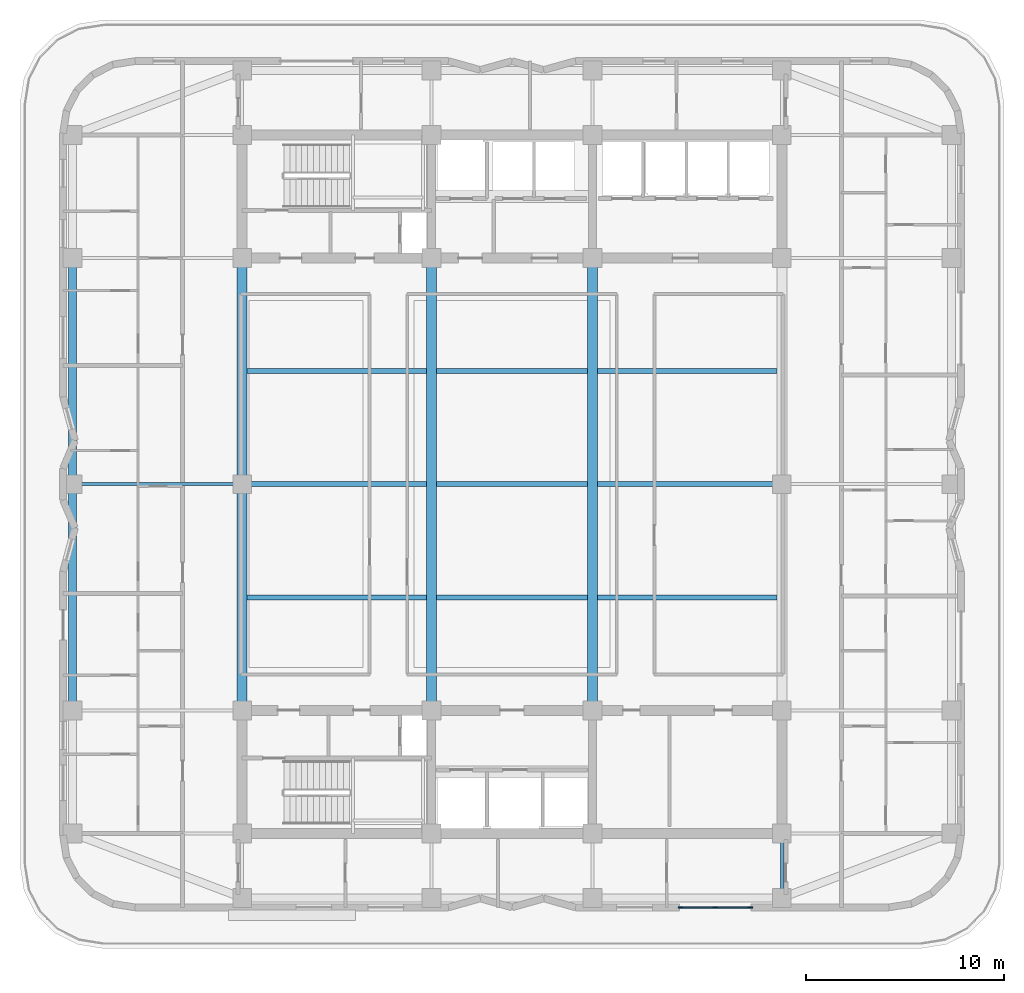
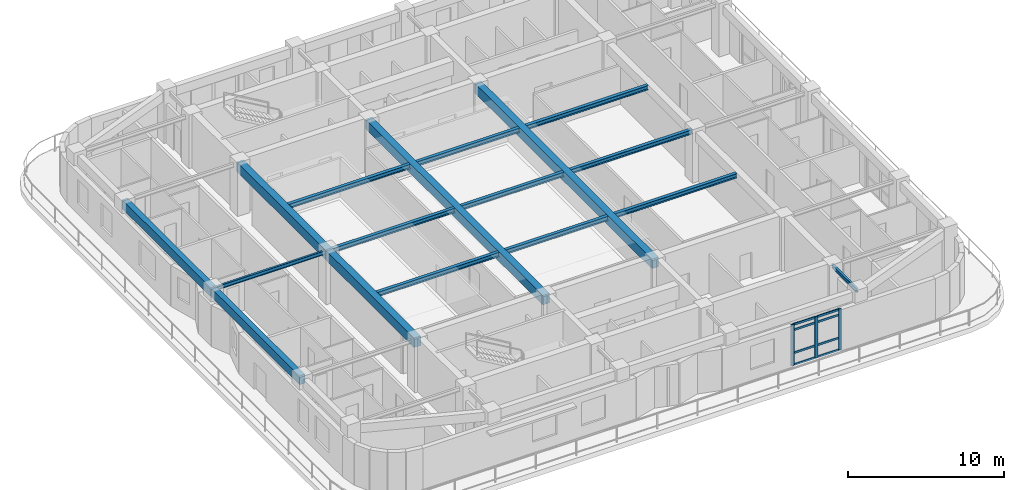
# One storey, part 2 of 14: 17 beams, 11 members, 1 element without a shape of its own.
"""IFC4 building model written with IfcOpenShell, lengths in metres."""

from ifc_helpers import new_model, si_unit, direction, frame, origin, origin_2d, place, context, subcontext, project, spatial, rectangle, i_section, extrude, material, material_profile, profile_set, type_object, element, aggregate, save


model = new_model("IFC4")

# Units and contexts
model_context = context("Model", 3, precision=1e-05, world=origin(), true_north=direction((0.0, 1.0)))
body_context = subcontext(model_context, "Body", "Model", "MODEL_VIEW")
ifc_project = project(units=[si_unit("LENGTHUNIT", "METRE"), si_unit("AREAUNIT", "SQUARE_METRE"), si_unit("VOLUMEUNIT", "CUBIC_METRE"), si_unit("PLANEANGLEUNIT", "RADIAN"), si_unit("MASSUNIT", "GRAM", prefix="KILO")], contexts=[model_context])

# Site, building, storey
site_placement = place(None, origin())
site = spatial("IfcSite", under=ifc_project, at=site_placement, CompositionType="ELEMENT")
building_placement = place(site_placement, origin())
building = spatial("IfcBuilding", under=site, at=building_placement, Name="Svetorya Sky Lyceum", CompositionType="ELEMENT")
storey_placement = place(building_placement, frame((0.0, 0.0, 143.60009765625)))
storey = spatial("IfcBuildingStorey", under=building, at=storey_placement, Name="L35", CompositionType="ELEMENT", Elevation=143.60009765625)

# Beams
ifc_material_1 = material(Name="Concrete C50/60", Category="concrete")
ifc_material_profile_1 = material_profile(ifc_material_1, rectangle(XDim=0.5, YDim=0.75, at=origin_2d()), Name="RC BEAM 500x750")
ifc_profile_set_1 = profile_set([ifc_material_profile_1], Name="Concrete C50/60")
beam_type_1 = type_object("IfcBeamType", Name="BM-RC-750", PredefinedType="BEAM", material=ifc_profile_set_1)
beam_1_placement = place(storey_placement, frame((25.60009765625, 16.800048828125, 3.56494140625), z_axis=(0.0, 1.0, 0.0), x_axis=(-1.0, 0.0, 0.0)))
element("IfcBeam", 1, at=beam_1_placement, inside=storey, type_object=beam_type_1, Name="L35 Central Bay Primary Girder CG-1A", PredefinedType="BEAM", context=body_context, shape_type="SweptSolid", body=[
    extrude(rectangle(XDim=0.5, YDim=0.75, at=origin_2d()), origin(), (0.0, 0.0, 1.0), 11.39990234375),
])
beam_2_placement = place(storey_placement, frame((25.60009765625, 28.199951171875, 3.56494140625), z_axis=(0.0, 1.0, 0.0), x_axis=(-1.0, 0.0, 0.0)))
element("IfcBeam", 2, at=beam_2_placement, inside=storey, type_object=beam_type_1, Name="L35 Central Bay Primary Girder CG-1B", PredefinedType="BEAM", context=body_context, shape_type="SweptSolid", body=[
    extrude(rectangle(XDim=0.5, YDim=0.75, at=origin_2d()), origin(), (0.0, 0.0, 1.0), 11.400146484375),
])
for number, where, z_axis, x_axis, name in (
    (3, (35.14990234375, 16.800048828125, 3.56494140625), (0.0, 1.0, 0.0), (-1.0, 0.0, 0.0), "L35 Central Bay Primary Girder CG-2"),
    (4, (43.25, 16.800048828125, 3.56494140625), (0.0, 1.0, 0.0), (-1.0, 0.0, 0.0), "L35 Central Bay Primary Girder CG-3"),
):
    element("IfcBeam", number, at=place(storey_placement, frame(where, z_axis=z_axis, x_axis=x_axis)), inside=storey, type_object=beam_type_1, Name=name, PredefinedType="BEAM", context=body_context, shape_type="SweptSolid", body=[
        extrude(rectangle(XDim=0.5, YDim=0.75, at=origin_2d()), origin(), (0.0, 0.0, 1.0), 22.800048828125),
    ])
ifc_material_profile_2 = material_profile(ifc_material_1, rectangle(XDim=0.39990234375, YDim=0.699951171875, at=origin_2d()), Name="RC SPANDREL 400x700")
ifc_profile_set_2 = profile_set([ifc_material_profile_2], Name="Concrete C50/60")
beam_type_2 = type_object("IfcBeamType", Name="BM-SPN-700", PredefinedType="SPANDREL", material=ifc_profile_set_2)
beam_3_placement = place(storey_placement, frame((17.050048828125, 16.800048828125, 3.58984375), z_axis=(0.0, 1.0, 0.0), x_axis=(-1.0, 0.0, 0.0)))
element("IfcBeam", 5, at=beam_3_placement, inside=storey, type_object=beam_type_2, Name="L35 West Spandrel 2", PredefinedType="SPANDREL", context=body_context, shape_type="SweptSolid", body=[
    extrude(rectangle(XDim=0.39990234375, YDim=0.699951171875, at=origin_2d()), origin(), (0.0, 0.0, 1.0), 11.39990234375),
])
beam_4_placement = place(storey_placement, frame((17.050048828125, 28.199951171875, 3.58984375), z_axis=(0.0, 1.0, 0.0), x_axis=(-1.0, 0.0, 0.0)))
element("IfcBeam", 6, at=beam_4_placement, inside=storey, type_object=beam_type_2, Name="L35 West Spandrel 3", PredefinedType="SPANDREL", context=body_context, shape_type="SweptSolid", body=[
    extrude(rectangle(XDim=0.39990234375, YDim=0.699951171875, at=origin_2d()), origin(), (0.0, 0.0, 1.0), 11.400146484375),
])
ifc_material_2 = material(Name="Steel S355", Category="steel")
ifc_material_profile_3 = material_profile(ifc_material_2, i_section(OverallWidth=0.14990234375, OverallDepth=0.299072265625, WebThickness=0.006591796875, FlangeThickness=0.010498046875, at=origin_2d()), Name="GOST 30B2")
ifc_profile_set_3 = profile_set([ifc_material_profile_3], Name="Steel S355")
beam_type_3 = type_object("IfcBeamType", Name="BM-STL-30B2", PredefinedType="JOIST", material=ifc_profile_set_3)
beam_5_placement = place(storey_placement, frame((17.050048828125, 28.199951171875, 3.790283203125), z_axis=(1.0, 0.0, 0.0), x_axis=(0.0, 1.0, 0.0)))
element("IfcBeam", 7, at=beam_5_placement, inside=storey, type_object=beam_type_3, Name="L35 West Wing Floor Joist W3", PredefinedType="JOIST", context=body_context, shape_type="SweptSolid", body=[
    extrude(i_section(OverallWidth=0.14990234375, OverallDepth=0.299072265625, WebThickness=0.006591796875, FlangeThickness=0.010498046875, at=origin_2d()), origin(), (0.0, 0.0, 1.0), 8.550048828125),
])
beam_6_placement = place(storey_placement, frame((52.800048828125, 7.35009765625, 3.790283203125), z_axis=(0.0, 1.0, 0.0), x_axis=(-1.0, 0.0, 0.0)))
element("IfcBeam", 8, at=beam_6_placement, inside=storey, type_object=beam_type_3, Name="L35 South Bay Floor Girder S4", PredefinedType="JOIST", context=body_context, shape_type="SweptSolid", body=[
    extrude(i_section(OverallWidth=0.14990234375, OverallDepth=0.299072265625, WebThickness=0.006591796875, FlangeThickness=0.010498046875, at=origin_2d()), origin(), (0.0, 0.0, 1.0), 3.25),
])
ifc_material_profile_4 = material_profile(ifc_material_2, i_section(OverallWidth=0.25, OverallDepth=0.345947265625, WebThickness=0.009521484375, FlangeThickness=0.014404296875, at=origin_2d()), Name="GOST 35Sh2")
ifc_profile_set_4 = profile_set([ifc_material_profile_4], Name="Steel S355")
beam_type_4 = type_object("IfcBeamType", Name="BM-STL-35SH2", PredefinedType="BEAM", material=ifc_profile_set_4)
beam_7_placement = place(storey_placement, frame((25.85009765625, 22.5, 3.766845703125), z_axis=(1.0, 0.0, 0.0), x_axis=(0.0, 1.0, 0.0)))
element("IfcBeam", 9, at=beam_7_placement, inside=storey, type_object=beam_type_4, Name="L35 Central Floor Joist CJ-1.1", PredefinedType="BEAM", context=body_context, shape_type="SweptSolid", body=[
    extrude(i_section(OverallWidth=0.25, OverallDepth=0.345947265625, WebThickness=0.009521484375, FlangeThickness=0.014404296875, at=origin_2d()), origin(), (0.0, 0.0, 1.0), 9.0498046875),
])
beam_8_placement = place(storey_placement, frame((35.39990234375, 22.5, 3.766845703125), z_axis=(1.0, 0.0, 0.0), x_axis=(0.0, 1.0, 0.0)))
element("IfcBeam", 10, at=beam_8_placement, inside=storey, type_object=beam_type_4, Name="L35 Central Floor Joist CJ-1.2", PredefinedType="BEAM", context=body_context, shape_type="SweptSolid", body=[
    extrude(i_section(OverallWidth=0.25, OverallDepth=0.345947265625, WebThickness=0.009521484375, FlangeThickness=0.014404296875, at=origin_2d()), origin(), (0.0, 0.0, 1.0), 7.60009765625),
])
beam_9_placement = place(storey_placement, frame((43.5, 22.5, 3.766845703125), z_axis=(1.0, 0.0, 0.0), x_axis=(0.0, 1.0, 0.0)))
element("IfcBeam", 11, at=beam_9_placement, inside=storey, type_object=beam_type_4, Name="L35 Central Floor Joist CJ-1.3", PredefinedType="BEAM", context=body_context, shape_type="SweptSolid", body=[
    extrude(i_section(OverallWidth=0.25, OverallDepth=0.345947265625, WebThickness=0.009521484375, FlangeThickness=0.014404296875, at=origin_2d()), origin(), (0.0, 0.0, 1.0), 9.050048828125),
])
beam_10_placement = place(storey_placement, frame((25.85009765625, 28.199951171875, 3.766845703125), z_axis=(1.0, 0.0, 0.0), x_axis=(0.0, 1.0, 0.0)))
element("IfcBeam", 12, at=beam_10_placement, inside=storey, type_object=beam_type_4, Name="L35 Central Floor Joist CJ-2.1", PredefinedType="BEAM", context=body_context, shape_type="SweptSolid", body=[
    extrude(i_section(OverallWidth=0.25, OverallDepth=0.345947265625, WebThickness=0.009521484375, FlangeThickness=0.014404296875, at=origin_2d()), origin(), (0.0, 0.0, 1.0), 9.0498046875),
])
beam_11_placement = place(storey_placement, frame((35.39990234375, 28.199951171875, 3.766845703125), z_axis=(1.0, 0.0, 0.0), x_axis=(0.0, 1.0, 0.0)))
element("IfcBeam", 13, at=beam_11_placement, inside=storey, type_object=beam_type_4, Name="L35 Central Floor Joist CJ-2.2", PredefinedType="BEAM", context=body_context, shape_type="SweptSolid", body=[
    extrude(i_section(OverallWidth=0.25, OverallDepth=0.345947265625, WebThickness=0.009521484375, FlangeThickness=0.014404296875, at=origin_2d()), origin(), (0.0, 0.0, 1.0), 7.60009765625),
])
beam_12_placement = place(storey_placement, frame((43.5, 28.199951171875, 3.766845703125), z_axis=(1.0, 0.0, 0.0), x_axis=(0.0, 1.0, 0.0)))
element("IfcBeam", 14, at=beam_12_placement, inside=storey, type_object=beam_type_4, Name="L35 Central Floor Joist CJ-2.3", PredefinedType="BEAM", context=body_context, shape_type="SweptSolid", body=[
    extrude(i_section(OverallWidth=0.25, OverallDepth=0.345947265625, WebThickness=0.009521484375, FlangeThickness=0.014404296875, at=origin_2d()), origin(), (0.0, 0.0, 1.0), 9.050048828125),
])
beam_13_placement = place(storey_placement, frame((25.85009765625, 33.89990234375, 3.766845703125), z_axis=(1.0, 0.0, 0.0), x_axis=(0.0, 1.0, 0.0)))
element("IfcBeam", 15, at=beam_13_placement, inside=storey, type_object=beam_type_4, Name="L35 Central Floor Joist CJ-3.1", PredefinedType="BEAM", context=body_context, shape_type="SweptSolid", body=[
    extrude(i_section(OverallWidth=0.25, OverallDepth=0.345947265625, WebThickness=0.009521484375, FlangeThickness=0.014404296875, at=origin_2d()), origin(), (0.0, 0.0, 1.0), 9.0498046875),
])
beam_14_placement = place(storey_placement, frame((35.39990234375, 33.89990234375, 3.766845703125), z_axis=(1.0, 0.0, 0.0), x_axis=(0.0, 1.0, 0.0)))
element("IfcBeam", 16, at=beam_14_placement, inside=storey, type_object=beam_type_4, Name="L35 Central Floor Joist CJ-3.2", PredefinedType="BEAM", context=body_context, shape_type="SweptSolid", body=[
    extrude(i_section(OverallWidth=0.25, OverallDepth=0.345947265625, WebThickness=0.009521484375, FlangeThickness=0.014404296875, at=origin_2d()), origin(), (0.0, 0.0, 1.0), 7.60009765625),
])
beam_15_placement = place(storey_placement, frame((43.5, 33.89990234375, 3.766845703125), z_axis=(1.0, 0.0, 0.0), x_axis=(0.0, 1.0, 0.0)))
element("IfcBeam", 17, at=beam_15_placement, inside=storey, type_object=beam_type_4, Name="L35 Central Floor Joist CJ-3.3", PredefinedType="BEAM", context=body_context, shape_type="SweptSolid", body=[
    extrude(i_section(OverallWidth=0.25, OverallDepth=0.345947265625, WebThickness=0.009521484375, FlangeThickness=0.014404296875, at=origin_2d()), origin(), (0.0, 0.0, 1.0), 9.050048828125),
])

# Curtain wall, members
ifc_material_3 = material(Name="Thermally broken anodized aluminium and triple low-E glass", Category="aluminium")
curtain_wall_type = type_object("IfcCurtainWallType", Name="CW4-SKY-GALL", PredefinedType="NOTDEFINED", material=ifc_material_3)
curtain_wall_placement = place(storey_placement, origin())
curtain_wall = element("IfcCurtainWall", 18, at=curtain_wall_placement, inside=storey, type_object=curtain_wall_type, Name="L35 Sky-Lobby Panorama Curtain Wall 11", PredefinedType="NOTDEFINED")
ifc_material_4 = material(Name="Thermally broken anodized aluminium EN AW-6060", Category="aluminium")
ifc_material_profile_5 = material_profile(ifc_material_4, rectangle(XDim=0.0849609375, YDim=0.239990234375, at=origin_2d()), Name="ALU MULLION 85x240")
ifc_profile_set_5 = profile_set([ifc_material_profile_5], Name="Thermally broken anodized aluminium EN AW-6060")
member_type_1 = type_object("IfcMemberType", Name="CWM-MUL-240", PredefinedType="MULLION", material=ifc_profile_set_5)
member_1_placement = place(storey_placement, frame((47.6923828125, 6.8701171875, 0.0), z_axis=(0.0, 0.0, 1.0), x_axis=(0.0, 1.0, 0.0)))
member_1 = element("IfcMember", 19, at=member_1_placement, type_object=member_type_1, Name="CW-4 mullion 1", PredefinedType="MULLION", context=body_context, shape_type="SweptSolid", body=[
    extrude(rectangle(XDim=0.0849609375, YDim=0.239990234375, at=origin_2d()), origin(), (0.0, 0.0, 1.0), 3.219970703125),
])
member_2_placement = place(storey_placement, frame((49.449951171875, 6.8701171875, 0.0), z_axis=(0.0, 0.0, 1.0), x_axis=(0.0, 1.0, 0.0)))
member_2 = element("IfcMember", 20, at=member_2_placement, type_object=member_type_1, Name="CW-4 mullion 2", PredefinedType="MULLION", context=body_context, shape_type="SweptSolid", body=[
    extrude(rectangle(XDim=0.0849609375, YDim=0.239990234375, at=origin_2d()), origin(), (0.0, 0.0, 1.0), 3.219970703125),
])
member_3_placement = place(storey_placement, frame((51.20751953125, 6.8701171875, 0.0), z_axis=(0.0, 0.0, 1.0), x_axis=(0.0, 1.0, 0.0)))
member_3 = element("IfcMember", 21, at=member_3_placement, type_object=member_type_1, Name="CW-4 mullion 3", PredefinedType="MULLION", context=body_context, shape_type="SweptSolid", body=[
    extrude(rectangle(XDim=0.0849609375, YDim=0.239990234375, at=origin_2d()), origin(), (0.0, 0.0, 1.0), 3.219970703125),
])
ifc_material_profile_6 = material_profile(ifc_material_4, rectangle(XDim=0.074951171875, YDim=0.159912109375, at=origin_2d()), Name="ALU TRANSOM 75x160")
ifc_profile_set_6 = profile_set([ifc_material_profile_6], Name="Thermally broken anodized aluminium EN AW-6060")
member_type_2 = type_object("IfcMemberType", Name="CWM-TRN-160", PredefinedType="USERDEFINED", material=ifc_profile_set_6)
member_4_placement = place(storey_placement, frame((47.7333984375, 6.8701171875, 0.037353515625), z_axis=(1.0, 0.0, 0.0), x_axis=(0.0, 1.0, 0.0)))
member_4 = element("IfcMember", 22, at=member_4_placement, type_object=member_type_2, Name="CW-4 transom 1.1", ObjectType="TRANSOM", PredefinedType="USERDEFINED", context=body_context, shape_type="SweptSolid", body=[
    extrude(rectangle(XDim=0.074951171875, YDim=0.159912109375, at=origin_2d()), origin(), (0.0, 0.0, 1.0), 1.675537109375),
])
member_5_placement = place(storey_placement, frame((47.7333984375, 6.8701171875, 0.9658203125), z_axis=(1.0, 0.0, 0.0), x_axis=(0.0, 1.0, 0.0)))
member_5 = element("IfcMember", 23, at=member_5_placement, type_object=member_type_2, Name="CW-4 transom 1.2", ObjectType="TRANSOM", PredefinedType="USERDEFINED", context=body_context, shape_type="SweptSolid", body=[
    extrude(rectangle(XDim=0.074951171875, YDim=0.159912109375, at=origin_2d()), origin(), (0.0, 0.0, 1.0), 1.675537109375),
])
member_6_placement = place(storey_placement, frame((47.7333984375, 6.8701171875, 2.77001953125), z_axis=(1.0, 0.0, 0.0), x_axis=(0.0, 1.0, 0.0)))
member_6 = element("IfcMember", 24, at=member_6_placement, type_object=member_type_2, Name="CW-4 transom 1.3", ObjectType="TRANSOM", PredefinedType="USERDEFINED", context=body_context, shape_type="SweptSolid", body=[
    extrude(rectangle(XDim=0.074951171875, YDim=0.159912109375, at=origin_2d()), origin(), (0.0, 0.0, 1.0), 1.675537109375),
])
member_7_placement = place(storey_placement, frame((47.7333984375, 6.8701171875, 3.182373046875), z_axis=(1.0, 0.0, 0.0), x_axis=(0.0, 1.0, 0.0)))
member_7 = element("IfcMember", 25, at=member_7_placement, type_object=member_type_2, Name="CW-4 transom 1.4", ObjectType="TRANSOM", PredefinedType="USERDEFINED", context=body_context, shape_type="SweptSolid", body=[
    extrude(rectangle(XDim=0.074951171875, YDim=0.159912109375, at=origin_2d()), origin(), (0.0, 0.0, 1.0), 1.675537109375),
])
member_8_placement = place(storey_placement, frame((49.490966796875, 6.8701171875, 0.037353515625), z_axis=(1.0, 0.0, 0.0), x_axis=(0.0, 1.0, 0.0)))
member_8 = element("IfcMember", 26, at=member_8_placement, type_object=member_type_2, Name="CW-4 transom 2.1", ObjectType="TRANSOM", PredefinedType="USERDEFINED", context=body_context, shape_type="SweptSolid", body=[
    extrude(rectangle(XDim=0.074951171875, YDim=0.159912109375, at=origin_2d()), origin(), (0.0, 0.0, 1.0), 1.675537109375),
])
member_9_placement = place(storey_placement, frame((49.490966796875, 6.8701171875, 0.9658203125), z_axis=(1.0, 0.0, 0.0), x_axis=(0.0, 1.0, 0.0)))
member_9 = element("IfcMember", 27, at=member_9_placement, type_object=member_type_2, Name="CW-4 transom 2.2", ObjectType="TRANSOM", PredefinedType="USERDEFINED", context=body_context, shape_type="SweptSolid", body=[
    extrude(rectangle(XDim=0.074951171875, YDim=0.159912109375, at=origin_2d()), origin(), (0.0, 0.0, 1.0), 1.675537109375),
])
member_10_placement = place(storey_placement, frame((49.490966796875, 6.8701171875, 2.77001953125), z_axis=(1.0, 0.0, 0.0), x_axis=(0.0, 1.0, 0.0)))
member_10 = element("IfcMember", 28, at=member_10_placement, type_object=member_type_2, Name="CW-4 transom 2.3", ObjectType="TRANSOM", PredefinedType="USERDEFINED", context=body_context, shape_type="SweptSolid", body=[
    extrude(rectangle(XDim=0.074951171875, YDim=0.159912109375, at=origin_2d()), origin(), (0.0, 0.0, 1.0), 1.675537109375),
])
member_11_placement = place(storey_placement, frame((49.490966796875, 6.8701171875, 3.182373046875), z_axis=(1.0, 0.0, 0.0), x_axis=(0.0, 1.0, 0.0)))
member_11 = element("IfcMember", 29, at=member_11_placement, type_object=member_type_2, Name="CW-4 transom 2.4", ObjectType="TRANSOM", PredefinedType="USERDEFINED", context=body_context, shape_type="SweptSolid", body=[
    extrude(rectangle(XDim=0.074951171875, YDim=0.159912109375, at=origin_2d()), origin(), (0.0, 0.0, 1.0), 1.675537109375),
])
aggregate(curtain_wall, [member_1, member_2, member_3, member_4, member_5, member_6, member_7, member_8, member_9, member_10, member_11])

save(model, "model.ifc")
